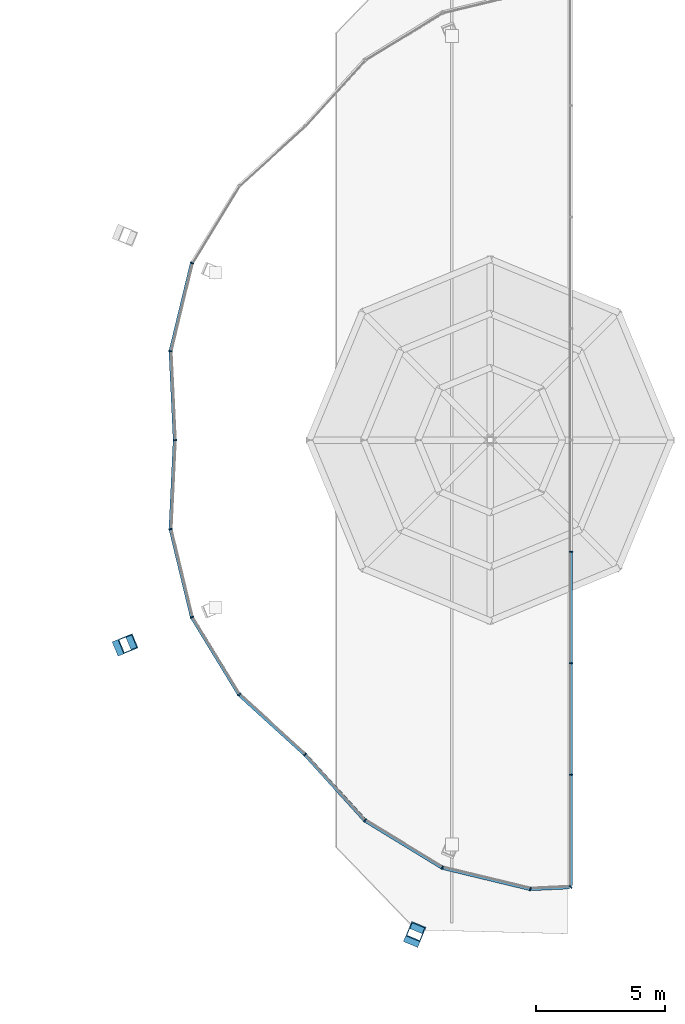
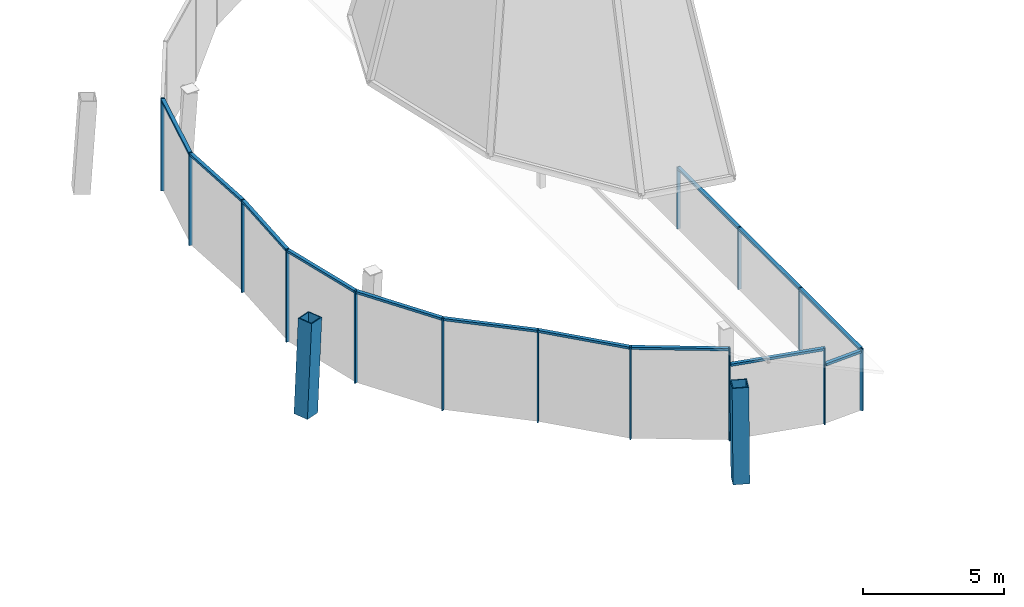
# One storey, part 7 of 16: 29 members, 4 elements without a shape of their own.
"""IFC4 building model written with IfcOpenShell, lengths in metres."""

from ifc_helpers import new_model, si_unit, direction, frame, origin, origin_2d, place, context, subcontext, project, spatial, rectangle, hollow_rectangle, extrude, material, material_profile, profile_set, type_object, element, aggregate, save


model = new_model("IFC4")

# Units and contexts
model_context = context("Model", 3, precision=1e-05, world=origin(), true_north=direction((0.0, 1.0)))
body_context = subcontext(model_context, "Body", "Model", "MODEL_VIEW")
ifc_project = project(units=[si_unit("LENGTHUNIT", "METRE"), si_unit("AREAUNIT", "SQUARE_METRE"), si_unit("VOLUMEUNIT", "CUBIC_METRE"), si_unit("PLANEANGLEUNIT", "RADIAN"), si_unit("MASSUNIT", "GRAM", prefix="KILO")], contexts=[model_context])

# Site, building, storey
site_placement = place(None, origin())
site = spatial("IfcSite", under=ifc_project, at=site_placement, CompositionType="ELEMENT")
building_placement = place(site_placement, origin())
building = spatial("IfcBuilding", under=site, at=building_placement, Name="Ogive Gate Towers", CompositionType="ELEMENT")
storey_placement = place(building_placement, frame((0.0, 0.0, 310.0)))
storey = spatial("IfcBuildingStorey", under=building, at=storey_placement, Name="L73", CompositionType="ELEMENT", Elevation=310.0)

# Curtain wall, members
ifc_material_1 = material(Name="Pale metal aluminium", Category="aluminium")
curtain_wall_type = type_object("IfcCurtainWallType", Name="Crown lean wall", PredefinedType="NOTDEFINED", material=ifc_material_1)
curtain_wall_1_placement = place(storey_placement, origin())
curtain_wall_1 = element("IfcCurtainWall", 1, at=curtain_wall_1_placement, inside=storey, type_object=curtain_wall_type, Name="CW5 T2 ECW02", PredefinedType="NOTDEFINED")
ifc_material_profile_1 = material_profile(ifc_material_1, rectangle(XDim=0.139892578125, YDim=0.050048828125, at=origin_2d()), Name="50 x 140 aluminium box")
ifc_profile_set_1 = profile_set([ifc_material_profile_1], Name="Pale metal aluminium")
member_type_1 = type_object("IfcMemberType", Name="Crown lean wall mullion 50 x 140", PredefinedType="MULLION", material=ifc_profile_set_1)
member_1_placement = place(storey_placement, frame((18.794921875, -0.00146484375, -0.300048828125), z_axis=(0.0, 0.0, 1.0), x_axis=(0.998880812764, 0.047298222929, 0.0)))
member_1 = element("IfcMember", 2, at=member_1_placement, type_object=member_type_1, Name="CW5 mullion", PredefinedType="MULLION", context=body_context, shape_type="SweptSolid", body=[
    extrude(rectangle(XDim=0.139892578125, YDim=0.050048828125, at=origin_2d()), origin(), (0.0, 0.0, 1.0), 4.0),
])
member_2_placement = place(storey_placement, frame((18.632080078125, 3.441162109375, -0.300048828125), z_axis=(0.0, 0.0, 1.0), x_axis=(0.995499330653, -0.094768574272, 0.0)))
member_2 = element("IfcMember", 3, at=member_2_placement, type_object=member_type_1, Name="CW5 mullion", PredefinedType="MULLION", context=body_context, shape_type="SweptSolid", body=[
    extrude(rectangle(XDim=0.139892578125, YDim=0.050048828125, at=origin_2d()), origin(), (0.0, 0.0, 1.0), 4.0),
])
member_3_placement = place(storey_placement, frame((19.456787109375, 6.852294921875, -0.300048828125), z_axis=(0.0, 0.0, 1.0), x_axis=(0.923879532511, -0.382683432365, 0.0)))
member_3 = element("IfcMember", 4, at=member_3_placement, type_object=member_type_1, Name="CW5 mullion", PredefinedType="MULLION", context=body_context, shape_type="SweptSolid", body=[
    extrude(rectangle(XDim=0.139892578125, YDim=0.050048828125, at=origin_2d()), origin(), (0.0, 0.0, 1.0), 4.0),
])

curtain_wall_2_placement = place(storey_placement, origin())
curtain_wall_2 = element("IfcCurtainWall", 5, at=curtain_wall_2_placement, inside=storey, type_object=curtain_wall_type, Name="CW5 T2 ECW03", PredefinedType="NOTDEFINED")
member_4_placement = place(storey_placement, frame((23.835205078125, -12.166748046875, -0.300048828125), z_axis=(0.0, 0.0, 1.0), x_axis=(0.672857590776, 0.739772034167, 0.0)))
member_4 = element("IfcMember", 6, at=member_4_placement, type_object=member_type_1, Name="CW5 mullion", PredefinedType="MULLION", context=body_context, shape_type="SweptSolid", body=[
    extrude(rectangle(XDim=0.139892578125, YDim=0.050048828125, at=origin_2d()), origin(), (0.0, 0.0, 1.0), 4.0),
])
member_5_placement = place(storey_placement, frame((21.285888671875, -9.84765625, -0.300048828125), z_axis=(0.0, 0.0, 1.0), x_axis=(0.770935828882, 0.63691282586, 0.0)))
member_5 = element("IfcMember", 7, at=member_5_placement, type_object=member_type_1, Name="CW5 mullion", PredefinedType="MULLION", context=body_context, shape_type="SweptSolid", body=[
    extrude(rectangle(XDim=0.139892578125, YDim=0.050048828125, at=origin_2d()), origin(), (0.0, 0.0, 1.0), 4.0),
])
member_6_placement = place(storey_placement, frame((19.456787109375, -6.852294921875, -0.300048828125), z_axis=(0.0, 0.0, 1.0), x_axis=(0.923879532511, 0.382683432365, 0.0)))
member_6 = element("IfcMember", 8, at=member_6_placement, type_object=member_type_1, Name="CW5 mullion", PredefinedType="MULLION", context=body_context, shape_type="SweptSolid", body=[
    extrude(rectangle(XDim=0.139892578125, YDim=0.050048828125, at=origin_2d()), origin(), (0.0, 0.0, 1.0), 4.0),
])
member_7_placement = place(storey_placement, frame((18.632080078125, -3.441162109375, -0.300048828125), z_axis=(0.0, 0.0, 1.0), x_axis=(0.995499330653, 0.094768574272, 0.0)))
member_7 = element("IfcMember", 9, at=member_7_placement, type_object=member_type_1, Name="CW5 mullion", PredefinedType="MULLION", context=body_context, shape_type="SweptSolid", body=[
    extrude(rectangle(XDim=0.139892578125, YDim=0.050048828125, at=origin_2d()), origin(), (0.0, 0.0, 1.0), 4.0),
])

curtain_wall_3_placement = place(storey_placement, origin())
curtain_wall_3 = element("IfcCurtainWall", 10, at=curtain_wall_3_placement, inside=storey, type_object=curtain_wall_type, Name="CW5 T2 ECW04", PredefinedType="NOTDEFINED")
member_8_placement = place(storey_placement, frame((32.5546875, -17.3671875, -0.300048828125), z_axis=(0.0, 0.0, 1.0), x_axis=(0.234938540911, 0.97201022731, 0.0)))
member_8 = element("IfcMember", 11, at=member_8_placement, type_object=member_type_1, Name="CW5 mullion", PredefinedType="MULLION", context=body_context, shape_type="SweptSolid", body=[
    extrude(rectangle(XDim=0.139892578125, YDim=0.050048828125, at=origin_2d()), origin(), (0.0, 0.0, 1.0), 3.318359375),
])
member_9_placement = place(storey_placement, frame((29.147705078125, -16.543212890625, -0.300048828125), z_axis=(0.0, 0.0, 1.0), x_axis=(0.382683432365, 0.923879532511, 0.0)))
member_9 = element("IfcMember", 12, at=member_9_placement, type_object=member_type_1, Name="CW5 mullion", PredefinedType="MULLION", context=body_context, shape_type="SweptSolid", body=[
    extrude(rectangle(XDim=0.139892578125, YDim=0.050048828125, at=origin_2d()), origin(), (0.0, 0.0, 1.0), 4.0),
])
member_10_placement = place(storey_placement, frame((26.15234375, -14.714111328125, -0.300048828125), z_axis=(0.0, 0.0, 1.0), x_axis=(0.63691282586, 0.770935828882, 0.0)))
member_10 = element("IfcMember", 13, at=member_10_placement, type_object=member_type_1, Name="CW5 mullion", PredefinedType="MULLION", context=body_context, shape_type="SweptSolid", body=[
    extrude(rectangle(XDim=0.139892578125, YDim=0.050048828125, at=origin_2d()), origin(), (0.0, 0.0, 1.0), 4.0),
])

curtain_wall_4_placement = place(storey_placement, origin())
curtain_wall_4 = element("IfcCurtainWall", 14, at=curtain_wall_4_placement, inside=storey, type_object=curtain_wall_type, Name="CW5 T2 ECW04b", PredefinedType="NOTDEFINED")
member_11_placement = place(storey_placement, frame((34.1181640625, -4.31640625, -0.300048828125), z_axis=(0.0, 0.0, 1.0), x_axis=(-1.0, 0.0, 0.0)))
member_11 = element("IfcMember", 15, at=member_11_placement, type_object=member_type_1, Name="CW5 mullion", PredefinedType="MULLION", context=body_context, shape_type="SweptSolid", body=[
    extrude(rectangle(XDim=0.139892578125, YDim=0.050048828125, at=origin_2d()), origin(), (0.0, 0.0, 1.0), 2.679931640625),
])
member_12_placement = place(storey_placement, frame((34.1181640625, -8.6328125, -0.300048828125), z_axis=(0.0, 0.0, 1.0), x_axis=(-1.0, 0.0, 0.0)))
member_12 = element("IfcMember", 16, at=member_12_placement, type_object=member_type_1, Name="CW5 mullion", PredefinedType="MULLION", context=body_context, shape_type="SweptSolid", body=[
    extrude(rectangle(XDim=0.139892578125, YDim=0.050048828125, at=origin_2d()), origin(), (0.0, 0.0, 1.0), 2.679931640625),
])
member_13_placement = place(storey_placement, frame((34.1181640625, -12.94921875, -0.300048828125), z_axis=(0.0, 0.0, 1.0), x_axis=(-1.0, 0.0, 0.0)))
member_13 = element("IfcMember", 17, at=member_13_placement, type_object=member_type_1, Name="CW5 mullion", PredefinedType="MULLION", context=body_context, shape_type="SweptSolid", body=[
    extrude(rectangle(XDim=0.139892578125, YDim=0.050048828125, at=origin_2d()), origin(), (0.0, 0.0, 1.0), 2.679931640625),
])
member_14_placement = place(storey_placement, frame((34.10986328125, -17.286376953125, -0.300048828125), z_axis=(0.0, 0.0, 1.0), x_axis=(-0.723642058162, 0.6901754644, 0.0)))
member_14 = element("IfcMember", 18, at=member_14_placement, type_object=member_type_1, Name="CW5 mullion", PredefinedType="MULLION", context=body_context, shape_type="SweptSolid", body=[
    extrude(rectangle(XDim=0.139892578125, YDim=0.050048828125, at=origin_2d()), origin(), (0.0, 0.0, 1.0), 2.679931640625),
])

# Member
ifc_material_profile_2 = material_profile(ifc_material_1, rectangle(XDim=0.139892578125, YDim=0.10009765625, at=origin_2d()), Name="100 x 140 aluminium box")
ifc_profile_set_2 = profile_set([ifc_material_profile_2], Name="Pale metal aluminium")
member_type_2 = type_object("IfcMemberType", Name="Crown lean wall transom 100 x 140", PredefinedType="USERDEFINED", material=ifc_profile_set_2)
member_15_placement = place(storey_placement, frame((18.793701171875, 0.023681640625, 3.64990234375), z_axis=(-0.04728815443, 0.998881289469, 0.0), x_axis=(-0.998881289469, -0.04728815443, 0.0)))
member_15 = element("IfcMember", 19, at=member_15_placement, type_object=member_type_2, Name="CW5 transom", ObjectType="TRANSOM", PredefinedType="USERDEFINED", context=body_context, shape_type="SweptSolid", body=[
    extrude(rectangle(XDim=0.139892578125, YDim=0.10009765625, at=origin_2d()), origin(), (0.0, 0.0, 1.0), 3.39208984375),
])

member_16_placement = place(storey_placement, frame((18.638916015625, 3.469482421875, 3.64990234375), z_axis=(0.234903347889, 0.972018732922, 0.0), x_axis=(-0.972018732922, 0.234903347889, 0.0)))
member_16 = element("IfcMember", 20, at=member_16_placement, type_object=member_type_2, Name="CW5 transom", ObjectType="TRANSOM", PredefinedType="USERDEFINED", context=body_context, shape_type="SweptSolid", body=[
    extrude(rectangle(XDim=0.139892578125, YDim=0.10009765625, at=origin_2d()), origin(), (0.0, 0.0, 1.0), 3.450439453125),
])

aggregate(curtain_wall_1, [member_1, member_2, member_15, member_3, member_16])

member_17_placement = place(storey_placement, frame((23.816650390625, -12.14990234375, 3.64990234375), z_axis=(-0.739747895653, 0.672884128864, 0.0), x_axis=(-0.672884128864, -0.739747895653, 0.0)))
member_17 = element("IfcMember", 21, at=member_17_placement, type_object=member_type_2, Name="CW5 transom", ObjectType="TRANSOM", PredefinedType="USERDEFINED", context=body_context, shape_type="SweptSolid", body=[
    extrude(rectangle(XDim=0.139892578125, YDim=0.10009765625, at=origin_2d()), origin(), (0.0, 0.0, 1.0), 3.39208984375),
])

member_18_placement = place(storey_placement, frame((21.2705078125, -9.82275390625, 3.64990234375), z_axis=(-0.521232488691, 0.853414724934, 0.0), x_axis=(-0.853414724934, -0.521232488691, 0.0)))
member_18 = element("IfcMember", 22, at=member_18_placement, type_object=member_type_2, Name="CW5 transom", ObjectType="TRANSOM", PredefinedType="USERDEFINED", context=body_context, shape_type="SweptSolid", body=[
    extrude(rectangle(XDim=0.139892578125, YDim=0.10009765625, at=origin_2d()), origin(), (0.0, 0.0, 1.0), 3.45068359375),
])

member_19_placement = place(storey_placement, frame((19.449462890625, -6.823486328125, 3.64990234375), z_axis=(-0.234903347889, 0.972018732922, 0.0), x_axis=(-0.972018732922, -0.234903347889, 0.0)))
member_19 = element("IfcMember", 23, at=member_19_placement, type_object=member_type_2, Name="CW5 transom", ObjectType="TRANSOM", PredefinedType="USERDEFINED", context=body_context, shape_type="SweptSolid", body=[
    extrude(rectangle(XDim=0.139892578125, YDim=0.10009765625, at=origin_2d()), origin(), (0.0, 0.0, 1.0), 3.450439453125),
])

member_20_placement = place(storey_placement, frame((18.63330078125, -3.411865234375, 3.64990234375), z_axis=(0.04728815443, 0.998881289469, 0.0), x_axis=(-0.998881289469, 0.04728815443, 0.0)))
member_20 = element("IfcMember", 24, at=member_20_placement, type_object=member_type_2, Name="CW5 transom", ObjectType="TRANSOM", PredefinedType="USERDEFINED", context=body_context, shape_type="SweptSolid", body=[
    extrude(rectangle(XDim=0.139892578125, YDim=0.10009765625, at=origin_2d()), origin(), (0.0, 0.0, 1.0), 3.39208984375),
])

aggregate(curtain_wall_2, [member_4, member_5, member_17, member_6, member_18, member_7, member_19, member_20])

member_21_placement = place(storey_placement, frame((32.530517578125, -17.361083984375, 2.96826171875), z_axis=(-0.972018732922, 0.234903347889, 0.0), x_axis=(-0.234903347889, -0.972018732922, 0.0)))
member_21 = element("IfcMember", 25, at=member_21_placement, type_object=member_type_2, Name="CW5 transom", ObjectType="TRANSOM", PredefinedType="USERDEFINED", context=body_context, shape_type="SweptSolid", body=[
    extrude(rectangle(XDim=0.139892578125, YDim=0.10009765625, at=origin_2d()), origin(), (0.0, 0.0, 1.0), 3.450439453125),
])

member_22_placement = place(storey_placement, frame((29.1220703125, -16.528076171875, 3.64990234375), z_axis=(-0.853414724934, 0.521232488691, 0.0), x_axis=(-0.521232488691, -0.853414724934, 0.0)))
member_22 = element("IfcMember", 26, at=member_22_placement, type_object=member_type_2, Name="CW5 transom", ObjectType="TRANSOM", PredefinedType="USERDEFINED", context=body_context, shape_type="SweptSolid", body=[
    extrude(rectangle(XDim=0.139892578125, YDim=0.10009765625, at=origin_2d()), origin(), (0.0, 0.0, 1.0), 3.45068359375),
])

member_23_placement = place(storey_placement, frame((26.132568359375, -14.692626953125, 3.64990234375), z_axis=(-0.672884128864, 0.739747895653, 0.0), x_axis=(-0.739747895653, -0.672884128864, 0.0)))
member_23 = element("IfcMember", 27, at=member_23_placement, type_object=member_type_2, Name="CW5 transom", ObjectType="TRANSOM", PredefinedType="USERDEFINED", context=body_context, shape_type="SweptSolid", body=[
    extrude(rectangle(XDim=0.139892578125, YDim=0.10009765625, at=origin_2d()), origin(), (0.0, 0.0, 1.0), 3.39208984375),
])

aggregate(curtain_wall_3, [member_8, member_9, member_21, member_10, member_22, member_23])

member_24_placement = place(storey_placement, frame((34.1181640625, -4.34130859375, 2.330078125), z_axis=(0.0, -1.0, 0.0), x_axis=(1.0, 0.0, 0.0)))
member_24 = element("IfcMember", 28, at=member_24_placement, type_object=member_type_2, Name="CW5 transom", ObjectType="TRANSOM", PredefinedType="USERDEFINED", context=body_context, shape_type="SweptSolid", body=[
    extrude(rectangle(XDim=0.139892578125, YDim=0.10009765625, at=origin_2d()), origin(), (0.0, 0.0, 1.0), 4.2666015625),
])

member_25_placement = place(storey_placement, frame((34.1181640625, -8.65771484375, 2.330078125), z_axis=(0.0, -1.0, 0.0), x_axis=(1.0, 0.0, 0.0)))
member_25 = element("IfcMember", 29, at=member_25_placement, type_object=member_type_2, Name="CW5 transom", ObjectType="TRANSOM", PredefinedType="USERDEFINED", context=body_context, shape_type="SweptSolid", body=[
    extrude(rectangle(XDim=0.139892578125, YDim=0.10009765625, at=origin_2d()), origin(), (0.0, 0.0, 1.0), 4.2666015625),
])

member_26_placement = place(storey_placement, frame((34.1181640625, -12.97412109375, 2.330078125), z_axis=(0.0, -1.0, 0.0), x_axis=(1.0, 0.0, 0.0)))
member_26 = element("IfcMember", 30, at=member_26_placement, type_object=member_type_2, Name="CW5 transom", ObjectType="TRANSOM", PredefinedType="USERDEFINED", context=body_context, shape_type="SweptSolid", body=[
    extrude(rectangle(XDim=0.139892578125, YDim=0.10009765625, at=origin_2d()), origin(), (0.0, 0.0, 1.0), 4.266357421875),
])

member_27_placement = place(storey_placement, frame((34.064697265625, -17.296630859375, 2.285400390625), z_axis=(-0.998875971008, -0.047400364365, 0.0), x_axis=(0.047400364365, -0.998875971008, 0.0)))
member_27 = element("IfcMember", 31, at=member_27_placement, type_object=member_type_2, Name="CW5 transom", ObjectType="TRANSOM", PredefinedType="USERDEFINED", context=body_context, shape_type="SweptSolid", body=[
    extrude(rectangle(XDim=0.139892578125, YDim=0.10009765625, at=origin_2d()), origin(), (0.0, 0.0, 1.0), 1.478271484375),
])

aggregate(curtain_wall_4, [member_11, member_12, member_24, member_13, member_25, member_14, member_26, member_27])

# Members
ifc_material_2 = material(Name="Steel SM460", Category="steel")
ifc_material_profile_3 = material_profile(ifc_material_2, hollow_rectangle(XDim=0.60009765625, YDim=0.60009765625, WallThickness=0.0400390625, at=origin_2d()), Name="BX 600x600x40")
ifc_profile_set_3 = profile_set([ifc_material_profile_3], Name="Steel SM460")
member_type_3 = type_object("IfcMemberType", Name="Crown rib BX 600x600x40", PredefinedType="MEMBER", material=ifc_profile_set_3)
for number, where, z_axis, x_axis, name in (
    (32, (16.7587890625, -7.969970703125, 0.0), (0.056413057581, 0.02339375174, 0.998133407573), (-0.383056544411, 0.923724896159, 0.0), "T2/L73/STR003"),
    (33, (28.030029296875, -19.2412109375, 0.0), (0.02339375174, 0.056413057581, 0.998133407573), (-0.923724896159, 0.383056544411, 0.0), "T2/L73/STR004"),
):
    element("IfcMember", number, at=place(storey_placement, frame(where, z_axis=z_axis, x_axis=x_axis)), inside=storey, type_object=member_type_3, Name=name, PredefinedType="MEMBER", context=body_context, shape_type="SweptSolid", body=[
        extrude(hollow_rectangle(XDim=0.60009765625, YDim=0.60009765625, WallThickness=0.0400390625, at=origin_2d()), origin(), (0.0, 0.0, 1.0), 4.007568359375),
    ])

save(model, "model.ifc")
